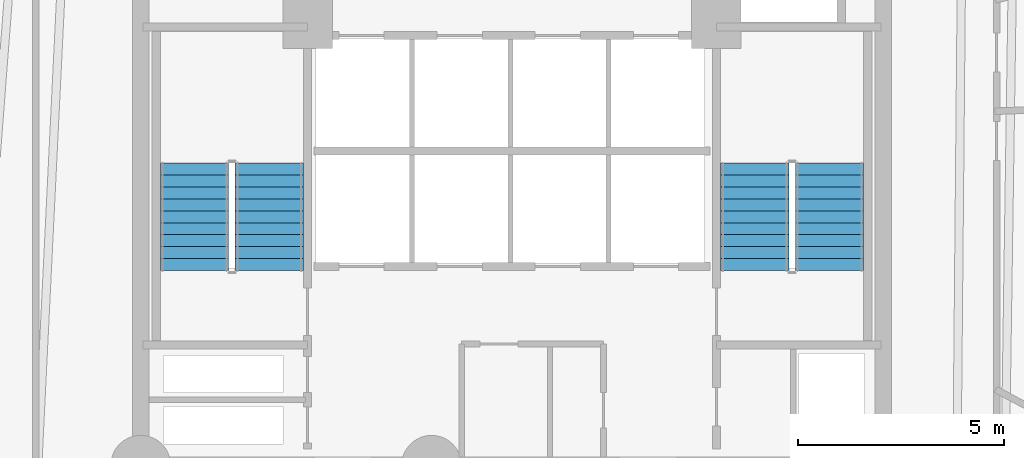
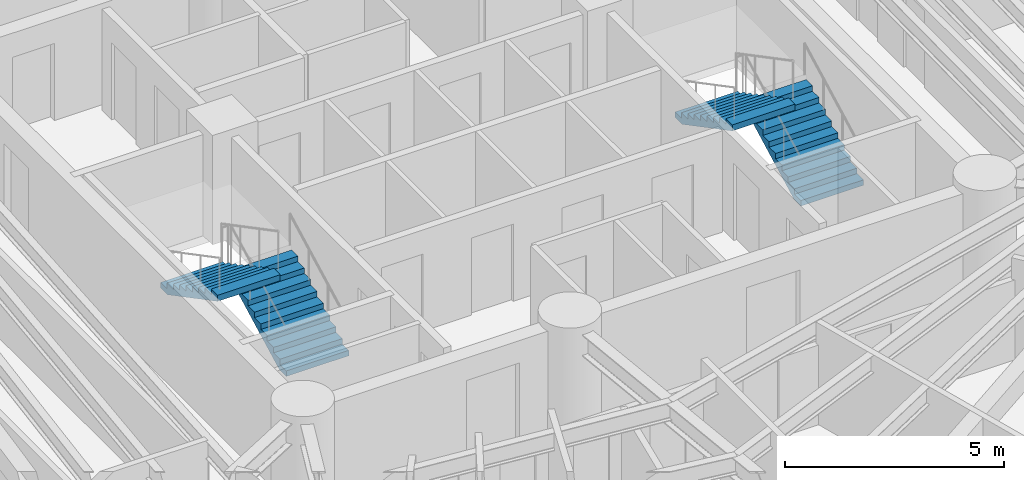
# One storey, part 7 of 8: 4 stair flights, 2 elements without a shape of their own.
"""IFC4 building model written with IfcOpenShell, lengths in metres."""

from ifc_helpers import new_model, si_unit, direction, frame, origin, place, context, subcontext, project, spatial, polyline, outline, extrude, material, type_object, element, aggregate, save


model = new_model("IFC4")

# Units and contexts
model_context = context("Model", 3, precision=1e-05, world=origin(), true_north=direction((0.0, 1.0)))
body_context = subcontext(model_context, "Body", "Model", "MODEL_VIEW")
ifc_project = project(units=[si_unit("LENGTHUNIT", "METRE"), si_unit("AREAUNIT", "SQUARE_METRE"), si_unit("VOLUMEUNIT", "CUBIC_METRE"), si_unit("PLANEANGLEUNIT", "RADIAN"), si_unit("MASSUNIT", "GRAM", prefix="KILO")], contexts=[model_context])

# Site, building, storey
site_placement = place(None, origin())
site = spatial("IfcSite", under=ifc_project, at=site_placement, CompositionType="ELEMENT")
building_placement = place(site_placement, origin())
building = spatial("IfcBuilding", under=site, at=building_placement, Name="Karkom Vertical University and Central Library", CompositionType="ELEMENT")
storey_placement = place(building_placement, frame((0.0, 0.0, 99.25)))
storey = spatial("IfcBuildingStorey", under=building, at=storey_placement, Name="L26", CompositionType="ELEMENT", Elevation=99.25)

# Stair, stair flights
ifc_material = material(Name="Concrete C45/55", Category="concrete")
stair_type = type_object("IfcStairType", Name="INT-STR-ST-MAIN", PredefinedType="HALF_TURN_STAIR", material=ifc_material)
stair_1_placement = place(storey_placement, origin())
stair_1 = element("IfcStair", 1, at=stair_1_placement, inside=storey, type_object=stair_type, Name="Level 26 Tower Protected Exit Stair ST-1", PredefinedType="HALF_TURN_STAIR")
stair_flight_type = type_object("IfcStairFlightType", Name="INT-SFL-ST-MAIN", PredefinedType="STRAIGHT", material=ifc_material)
stair_flight_1_placement = place(storey_placement, frame((22.614990234375, 23.02001953125, 0.0), z_axis=(0.0, 0.0, 1.0), x_axis=(0.0, 1.0, 0.0)))
stair_flight_1 = element("IfcStairFlight", 2, at=stair_flight_1_placement, type_object=stair_flight_type, Name="ST-1 flight 1", NumberOfRisers=10, NumberOfTreads=9, PredefinedType="STRAIGHT", RiserHeight=0.1525, TreadLength=0.29, context=body_context, shape_type="SweptSolid", body=[
    extrude(outline(polyline([(0.0, 0.0), (0.0, 0.152587890625), (0.2900390625, 0.152587890625), (0.2900390625, 0.304931640625), (0.580078125, 0.304931640625), (0.580078125, 0.45751953125), (0.8701171875, 0.45751953125), (0.8701171875, 0.610107421875), (1.159912109375, 0.610107421875), (1.159912109375, 0.762451171875), (1.449951171875, 0.762451171875), (1.449951171875, 0.9150390625), (1.739990234375, 0.9150390625), (1.739990234375, 1.0673828125), (2.030029296875, 1.0673828125), (2.030029296875, 1.219970703125), (2.320068359375, 1.219970703125), (2.320068359375, 1.37255859375), (2.610107421875, 1.37255859375), (2.610107421875, 1.52490234375), (2.610107421875, 1.203125), (0.322021484375, 0.0), (0.0, 0.0)])), frame((0.0, 0.824951171875, 0.0), z_axis=(0.0, -1.0, 0.0), x_axis=(1.0, 0.0, 0.0)), (0.0, 0.0, 1.0), 1.64990234375),
])
stair_flight_2_placement = place(storey_placement, frame((20.804931640625, 25.6298828125, 1.52490234375), z_axis=(0.0, 0.0, 1.0), x_axis=(0.0, -1.0, 0.0)))
stair_flight_2 = element("IfcStairFlight", 3, at=stair_flight_2_placement, type_object=stair_flight_type, Name="ST-1 flight 2", NumberOfRisers=10, NumberOfTreads=9, PredefinedType="STRAIGHT", RiserHeight=0.1525, TreadLength=0.29, context=body_context, shape_type="SweptSolid", body=[
    extrude(outline(polyline([(0.0, 0.0), (0.0, 0.152587890625), (0.2900390625, 0.152587890625), (0.2900390625, 0.304931640625), (0.580078125, 0.304931640625), (0.580078125, 0.45751953125), (0.8701171875, 0.45751953125), (0.8701171875, 0.610107421875), (1.159912109375, 0.610107421875), (1.159912109375, 0.762451171875), (1.449951171875, 0.762451171875), (1.449951171875, 0.9150390625), (1.739990234375, 0.9150390625), (1.739990234375, 1.0673828125), (2.030029296875, 1.0673828125), (2.030029296875, 1.219970703125), (2.320068359375, 1.219970703125), (2.320068359375, 1.37255859375), (2.610107421875, 1.37255859375), (2.610107421875, 1.52490234375), (2.610107421875, 1.203125), (0.322021484375, 0.0), (0.0, 0.0)])), frame((0.0, 0.824951171875, 0.0), z_axis=(0.0, -1.0, 0.0), x_axis=(1.0, 0.0, 0.0)), (0.0, 0.0, 1.0), 1.64990234375),
])
aggregate(stair_1, [stair_flight_1, stair_flight_2])

stair_2_placement = place(storey_placement, origin())
stair_2 = element("IfcStair", 4, at=stair_2_placement, inside=storey, type_object=stair_type, Name="Level 26 Tower Protected Exit Stair ST-2", PredefinedType="HALF_TURN_STAIR")
stair_flight_3_placement = place(storey_placement, frame((36.195068359375, 23.02001953125, 0.0), z_axis=(0.0, 0.0, 1.0), x_axis=(0.0, 1.0, 0.0)))
stair_flight_3 = element("IfcStairFlight", 5, at=stair_flight_3_placement, type_object=stair_flight_type, Name="ST-2 flight 1", NumberOfRisers=10, NumberOfTreads=9, PredefinedType="STRAIGHT", RiserHeight=0.1525, TreadLength=0.29, context=body_context, shape_type="SweptSolid", body=[
    extrude(outline(polyline([(0.0, 0.0), (0.0, 0.152587890625), (0.2900390625, 0.152587890625), (0.2900390625, 0.304931640625), (0.580078125, 0.304931640625), (0.580078125, 0.45751953125), (0.8701171875, 0.45751953125), (0.8701171875, 0.610107421875), (1.159912109375, 0.610107421875), (1.159912109375, 0.762451171875), (1.449951171875, 0.762451171875), (1.449951171875, 0.9150390625), (1.739990234375, 0.9150390625), (1.739990234375, 1.0673828125), (2.030029296875, 1.0673828125), (2.030029296875, 1.219970703125), (2.320068359375, 1.219970703125), (2.320068359375, 1.37255859375), (2.610107421875, 1.37255859375), (2.610107421875, 1.52490234375), (2.610107421875, 1.203125), (0.322021484375, 0.0), (0.0, 0.0)])), frame((0.0, 0.824951171875, 0.0), z_axis=(0.0, -1.0, 0.0), x_axis=(1.0, 0.0, 0.0)), (0.0, 0.0, 1.0), 1.64990234375),
])
stair_flight_4_placement = place(storey_placement, frame((34.385009765625, 25.6298828125, 1.52490234375), z_axis=(0.0, 0.0, 1.0), x_axis=(0.0, -1.0, 0.0)))
stair_flight_4 = element("IfcStairFlight", 6, at=stair_flight_4_placement, type_object=stair_flight_type, Name="ST-2 flight 2", NumberOfRisers=10, NumberOfTreads=9, PredefinedType="STRAIGHT", RiserHeight=0.1525, TreadLength=0.29, context=body_context, shape_type="SweptSolid", body=[
    extrude(outline(polyline([(0.0, 0.0), (0.0, 0.152587890625), (0.2900390625, 0.152587890625), (0.2900390625, 0.304931640625), (0.580078125, 0.304931640625), (0.580078125, 0.45751953125), (0.8701171875, 0.45751953125), (0.8701171875, 0.610107421875), (1.159912109375, 0.610107421875), (1.159912109375, 0.762451171875), (1.449951171875, 0.762451171875), (1.449951171875, 0.9150390625), (1.739990234375, 0.9150390625), (1.739990234375, 1.0673828125), (2.030029296875, 1.0673828125), (2.030029296875, 1.219970703125), (2.320068359375, 1.219970703125), (2.320068359375, 1.37255859375), (2.610107421875, 1.37255859375), (2.610107421875, 1.52490234375), (2.610107421875, 1.203125), (0.322021484375, 0.0), (0.0, 0.0)])), frame((0.0, 0.824951171875, 0.0), z_axis=(0.0, -1.0, 0.0), x_axis=(1.0, 0.0, 0.0)), (0.0, 0.0, 1.0), 1.64990234375),
])
aggregate(stair_2, [stair_flight_3, stair_flight_4])

save(model, "model.ifc")
